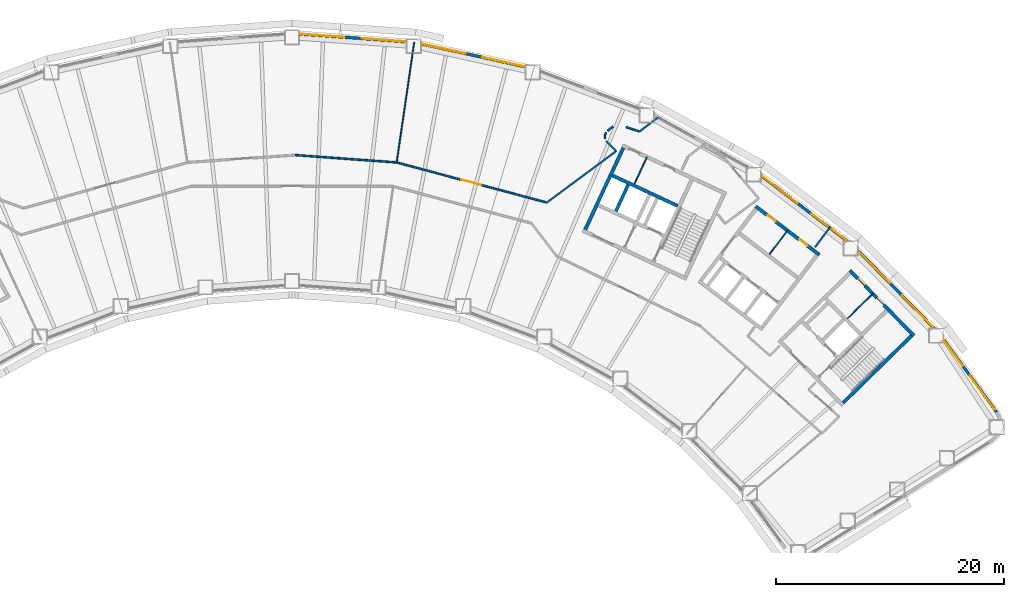
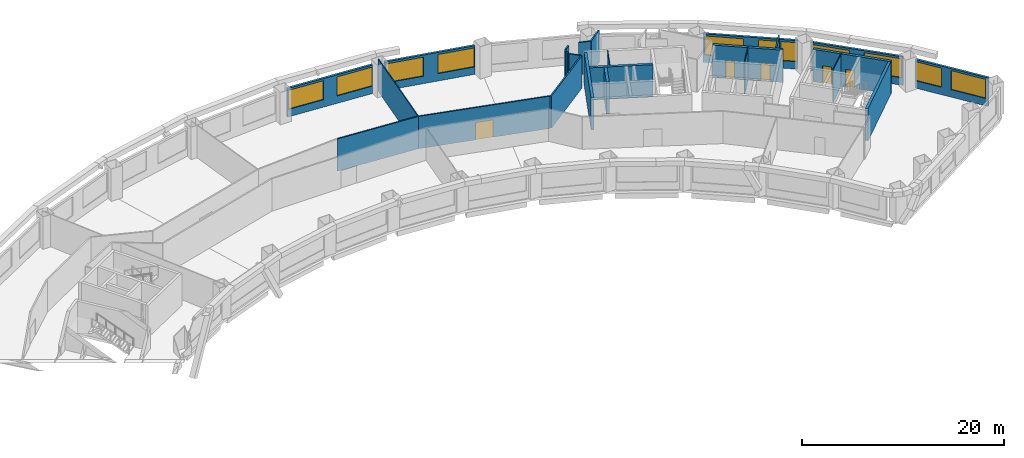
# One storey, part 7 of 14: 25 walls, 11 windows, 5 doors, 16 openings.
"""IFC4 building model written with IfcOpenShell, lengths in metres."""

from ifc_helpers import new_model, si_unit, direction, frame, frame_2d, origin, place, context, subcontext, project, spatial, rectangle, extrude, material, layer, layer_set, type_object, element, fill, save


model = new_model("IFC4")

# Units and contexts
model_context = context("Model", 3, precision=1e-05, world=origin(), true_north=direction((0.0, 1.0)))
body_context = subcontext(model_context, "Body", "Model", "MODEL_VIEW")
ifc_project = project(units=[si_unit("LENGTHUNIT", "METRE"), si_unit("AREAUNIT", "SQUARE_METRE"), si_unit("VOLUMEUNIT", "CUBIC_METRE"), si_unit("PLANEANGLEUNIT", "RADIAN"), si_unit("MASSUNIT", "GRAM", prefix="KILO")], contexts=[model_context])

# Site, building, storey
site_placement = place(None, origin())
site = spatial("IfcSite", under=ifc_project, at=site_placement, CompositionType="ELEMENT")
building_placement = place(site_placement, origin())
building = spatial("IfcBuilding", under=site, at=building_placement, Name="Tuul Gate Civic Tower", CompositionType="ELEMENT")
storey_placement = place(building_placement, frame((0.0, 0.0, 44.10009765625)))
storey = spatial("IfcBuildingStorey", under=building, at=storey_placement, Name="Level 09", CompositionType="ELEMENT", Elevation=44.10009765625)

# Wall, openings, doors
ifc_material_1 = material(Name="Concrete C50/60", Category="concrete")
ifc_layer_1 = layer(ifc_material_1, 0.300048828125)
ifc_layer_set_1 = layer_set([ifc_layer_1], Name="Concrete C50/60")
wall_type_1 = type_object("IfcWallType", Name="Core wall C50/60", PredefinedType="SHEAR", material=ifc_layer_set_1)
wall_1_placement = place(storey_placement, frame((54.43798828125, -12.23779296875, 0.0), z_axis=(0.0, 0.0, 1.0), x_axis=(-0.700021979774, 0.714121297703, 0.0)))
wall_1 = element("IfcWall", 1, at=wall_1_placement, inside=storey, type_object=wall_type_1, Name="Core wall", PredefinedType="SHEAR", context=body_context, shape_type="SweptSolid", body=[
    extrude(rectangle(XDim=8.0, YDim=0.300048828125, at=frame_2d((4.0, 0.0))), origin(), (0.0, 0.0, 1.0), 3.89990234375),
])
opening_1_placement = place(wall_1_placement, frame((3.75, 0.0, 0.0)))
opening_1 = element("IfcOpeningElement", 2, at=opening_1_placement, cuts=wall_1, Name="Opening B-D21", PredefinedType="OPENING", context=body_context, shape_type="SweptSolid", body=[
    extrude(rectangle(XDim=0.89990234375, YDim=2.10009765625, at=frame_2d((0.449951171875, 1.050048828125))), frame((0.0, 0.16015625, 0.0), z_axis=(0.0, -1.0, 0.0), x_axis=(1.0, 0.0, 0.0)), (0.0, 0.0, 1.0), 0.320068359375),
])
opening_2_placement = place(wall_1_placement, frame((6.125, 0.0, 0.0)))
opening_2 = element("IfcOpeningElement", 3, at=opening_2_placement, cuts=wall_1, Name="Opening B-D22", PredefinedType="OPENING", context=body_context, shape_type="SweptSolid", body=[
    extrude(rectangle(XDim=0.89990234375, YDim=2.10009765625, at=frame_2d((0.449951171875, 1.050048828125))), frame((0.0, 0.16015625, 0.0), z_axis=(0.0, -1.0, 0.0), x_axis=(1.0, 0.0, 0.0)), (0.0, 0.0, 1.0), 0.320068359375),
])
ifc_material_2 = material(Name="Timber door leaf", Category="wood")
door_type_1 = type_object("IfcDoorType", Name="Door D09", OperationType="NOTDEFINED", PredefinedType="DOOR", material=ifc_material_2)
door_1_placement = place(opening_1_placement, origin())
door_1 = element("IfcDoor", 4, at=door_1_placement, inside=storey, type_object=door_type_1, Name="Door B-D21", OperationType="SINGLE_SWING_LEFT", OverallHeight=2.10009765625, OverallWidth=0.89990234375, PredefinedType="DOOR", context=body_context, shape_type="SweptSolid", body=[
    extrude(rectangle(XDim=0.89990234375, YDim=2.10009765625, at=frame_2d((0.449951171875, 1.050048828125))), frame((0.0, 0.02490234375, 0.0), z_axis=(0.0, -1.0, 0.0), x_axis=(1.0, 0.0, 0.0)), (0.0, 0.0, 1.0), 0.050048828125),
])
fill(opening_1, door_1)
door_2_placement = place(opening_2_placement, origin())
door_2 = element("IfcDoor", 5, at=door_2_placement, inside=storey, type_object=door_type_1, Name="Door B-D22", OperationType="SINGLE_SWING_LEFT", OverallHeight=2.10009765625, OverallWidth=0.89990234375, PredefinedType="DOOR", context=body_context, shape_type="SweptSolid", body=[
    extrude(rectangle(XDim=0.89990234375, YDim=2.10009765625, at=frame_2d((0.449951171875, 1.050048828125))), frame((0.0, 0.02490234375, 0.0), z_axis=(0.0, -1.0, 0.0), x_axis=(1.0, 0.0, 0.0)), (0.0, 0.0, 1.0), 0.050048828125),
])
fill(opening_2, door_2)

# Walls
wall_2_placement = place(storey_placement, frame((48.227294921875, -18.115966796875, 0.0), z_axis=(0.0, 0.0, 1.0), x_axis=(0.714105315431, 0.700038283577, 0.0)))
element("IfcWall", 6, at=wall_2_placement, inside=storey, type_object=wall_type_1, Name="Core wall", PredefinedType="SHEAR", context=body_context, shape_type="SweptSolid", body=[
    extrude(rectangle(XDim=8.400146484375, YDim=0.300048828125, at=frame_2d((4.2001953125, 0.0))), origin(), (0.0, 0.0, 1.0), 3.89990234375),
])
wall_3_placement = place(storey_placement, frame((33.75, -0.873779296875, 0.0), z_axis=(0.0, 0.0, 1.0), x_axis=(-0.906300917592, 0.422632992999, 0.0)))
element("IfcWall", 7, at=wall_3_placement, inside=storey, type_object=wall_type_1, Name="Core wall", PredefinedType="SHEAR", context=body_context, shape_type="SweptSolid", body=[
    extrude(rectangle(XDim=6.300048828125, YDim=0.300048828125, at=frame_2d((3.14990234375, 0.0))), origin(), (0.0, 0.0, 1.0), 3.89990234375),
])
wall_4_placement = place(storey_placement, frame((28.349365234375, -1.33447265625, 0.0), z_axis=(0.0, 0.0, 1.0), x_axis=(0.422612891016, 0.906310291427, 0.0)))
element("IfcWall", 8, at=wall_4_placement, inside=storey, type_object=wall_type_1, Name="Core wall", PredefinedType="SHEAR", context=body_context, shape_type="SweptSolid", body=[
    extrude(rectangle(XDim=2.550048828125, YDim=0.300048828125, at=frame_2d((1.27490234375, 0.0))), origin(), (0.0, 0.0, 1.0), 3.89990234375),
])
wall_5_placement = place(storey_placement, frame((25.66455078125, -2.951416015625, 0.0), z_axis=(0.0, 0.0, 1.0), x_axis=(0.422582604137, 0.906324413596, 0.0)))
element("IfcWall", 9, at=wall_5_placement, inside=storey, type_object=wall_type_1, Name="Core wall", PredefinedType="SHEAR", context=body_context, shape_type="SweptSolid", body=[
    extrude(rectangle(XDim=7.89990234375, YDim=0.300048828125, at=frame_2d((3.949951171875, 0.0))), origin(), (0.0, 0.0, 1.0), 3.89990234375),
])
ifc_material_3 = material(Name="Gypsum board partition")
ifc_layer_2 = layer(ifc_material_3, 0.14990234375)
ifc_layer_set_2 = layer_set([ifc_layer_2], Name="Gypsum board partition")
wall_type_2 = type_object("IfcWallType", Name="Corridor wall P150", PredefinedType="PARTITIONING", material=ifc_layer_set_2)
wall_6_placement = place(storey_placement, frame((45.777587890625, -4.485595703125, 0.0), z_axis=(0.0, 0.0, 1.0), x_axis=(0.60268588556, 0.797978523111, 0.0)))
element("IfcWall", 10, at=wall_6_placement, inside=storey, type_object=wall_type_2, Name="p009", PredefinedType="PARTITIONING", context=body_context, shape_type="SweptSolid", body=[
    extrude(rectangle(XDim=2.13525390625, YDim=0.14990234375, at=frame_2d((1.067626953125, 0.0))), origin(), (0.0, 0.0, 1.0), 3.89990234375),
])
wall_7_placement = place(storey_placement, frame((22.2646484375, -0.605712890625, 0.0), z_axis=(0.0, 0.0, 1.0), x_axis=(0.803520813398, 0.595276660417, 0.0)))
element("IfcWall", 11, at=wall_7_placement, inside=storey, type_object=wall_type_2, Name="p017", PredefinedType="PARTITIONING", context=body_context, shape_type="SweptSolid", body=[
    extrude(rectangle(XDim=7.608642578125, YDim=0.14990234375, at=frame_2d((3.80419921875, 0.0))), origin(), (0.0, 0.0, 1.0), 3.89990234375),
])
wall_8_placement = place(storey_placement, frame((30.42431640625, 5.643310546875, 0.0), z_axis=(0.0, 0.0, 1.0), x_axis=(0.79384868291, 0.608115341561, 0.0)))
element("IfcWall", 12, at=wall_8_placement, inside=storey, type_object=wall_type_2, Name="p018", PredefinedType="PARTITIONING", context=body_context, shape_type="SweptSolid", body=[
    extrude(rectangle(XDim=2.042724609375, YDim=0.14990234375, at=frame_2d((1.021484375, 0.0))), origin(), (0.0, 0.0, 1.0), 3.89990234375),
])
wall_9_placement = place(storey_placement, frame((29.2568359375, 6.028564453125, 0.0), z_axis=(0.0, 0.0, 1.0), x_axis=(0.949632194878, -0.313366709226, 0.0)))
element("IfcWall", 13, at=wall_9_placement, inside=storey, type_object=wall_type_2, Name="p019", PredefinedType="PARTITIONING", context=body_context, shape_type="SweptSolid", body=[
    extrude(rectangle(XDim=1.2294921875, YDim=0.14990234375, at=frame_2d((0.61474609375, 0.0))), origin(), (0.0, 0.0, 1.0), 3.89990234375),
])
wall_10_placement = place(storey_placement, frame((27.62158203125, 5.70654296875, 0.0), z_axis=(0.0, 0.0, 1.0), x_axis=(0.793734738563, 0.608264058447, 0.0)))
element("IfcWall", 14, at=wall_10_placement, inside=storey, type_object=wall_type_2, Name="p020", PredefinedType="PARTITIONING", context=body_context, shape_type="SweptSolid", body=[
    extrude(rectangle(XDim=0.612060546875, YDim=0.14990234375, at=frame_2d((0.30615234375, 0.0))), origin(), (0.0, 0.0, 1.0), 3.89990234375),
])
wall_11_placement = place(storey_placement, frame((27.389404296875, 5.285888671875, 0.0), z_axis=(0.0, 0.0, 1.0), x_axis=(0.330896267797, 0.943667134088, 0.0)))
element("IfcWall", 15, at=wall_11_placement, inside=storey, type_object=wall_type_2, Name="p021", PredefinedType="PARTITIONING", context=body_context, shape_type="SweptSolid", body=[
    extrude(rectangle(XDim=0.27880859375, YDim=0.14990234375, at=frame_2d((0.139404296875, 0.0))), origin(), (0.0, 0.0, 1.0), 3.89990234375),
])
wall_12_placement = place(storey_placement, frame((27.389404296875, 5.285888671875, 0.0), z_axis=(0.0, 0.0, 1.0), x_axis=(0.054795599589, -0.998497592519, 0.0)))
element("IfcWall", 16, at=wall_12_placement, inside=storey, type_object=wall_type_2, Name="p022", PredefinedType="PARTITIONING", context=body_context, shape_type="SweptSolid", body=[
    extrude(rectangle(XDim=0.28076171875, YDim=0.14990234375, at=frame_2d((0.140380859375, 0.0))), origin(), (0.0, 0.0, 1.0), 3.89990234375),
])
wall_13_placement = place(storey_placement, frame((27.49951171875, 4.809326171875, 0.0), z_axis=(0.0, 0.0, 1.0), x_axis=(0.704266832513, -0.709935369328, 0.0)))
element("IfcWall", 17, at=wall_13_placement, inside=storey, type_object=wall_type_2, Name="p023", PredefinedType="PARTITIONING", context=body_context, shape_type="SweptSolid", body=[
    extrude(rectangle(XDim=1.2490234375, YDim=0.14990234375, at=frame_2d((0.62451171875, 0.0))), origin(), (0.0, 0.0, 1.0), 3.89990234375),
])

# Wall, opening, door
wall_14_placement = place(storey_placement, frame((9.14306640625, 2.93408203125, 0.0), z_axis=(0.0, 0.0, 1.0), x_axis=(0.966243040553, -0.257632270074, 0.0)))
wall_14 = element("IfcWall", 18, at=wall_14_placement, inside=storey, type_object=wall_type_2, Name="p024", PredefinedType="PARTITIONING", context=body_context, shape_type="SweptSolid", body=[
    extrude(rectangle(XDim=13.504638671875, YDim=0.14990234375, at=frame_2d((6.75244140625, 0.0))), origin(), (0.0, 0.0, 1.0), 3.89990234375),
])
opening_3_placement = place(wall_14_placement, frame((5.86328125, 0.0, 0.0)))
opening_3 = element("IfcOpeningElement", 19, at=opening_3_placement, cuts=wall_14, Name="Opening B-D03", PredefinedType="OPENING", context=body_context, shape_type="SweptSolid", body=[
    extrude(rectangle(XDim=1.800048828125, YDim=2.10009765625, at=frame_2d((0.89990234375, 1.050048828125))), frame((0.0, 0.0849609375, 0.0), z_axis=(0.0, -1.0, 0.0), x_axis=(1.0, 0.0, 0.0)), (0.0, 0.0, 1.0), 0.169921875),
])
ifc_material_4 = material(Name="Timber door leaf, double", Category="wood")
door_type_2 = type_object("IfcDoorType", Name="Door D18", OperationType="DOUBLE_DOOR_SINGLE_SWING", PredefinedType="DOOR", material=ifc_material_4)
door_3_placement = place(opening_3_placement, origin())
door_3 = element("IfcDoor", 20, at=door_3_placement, inside=storey, type_object=door_type_2, Name="Door B-D03", OperationType="DOUBLE_DOOR_SINGLE_SWING", OverallHeight=2.10009765625, OverallWidth=1.800048828125, PredefinedType="DOOR", context=body_context, shape_type="SweptSolid", body=[
    extrude(rectangle(XDim=1.800048828125, YDim=2.10009765625, at=frame_2d((0.89990234375, 1.050048828125))), frame((0.0, 0.02490234375, 0.0), z_axis=(0.0, -1.0, 0.0), x_axis=(1.0, 0.0, 0.0)), (0.0, 0.0, 1.0), 0.050048828125),
])
fill(opening_3, door_3)

# Wall
wall_15_placement = place(storey_placement, frame((0.27587890625, 3.576416015625, 0.0), z_axis=(0.0, 0.0, 1.0), x_axis=(0.997387664571, -0.072234663155, 0.0)))
element("IfcWall", 21, at=wall_15_placement, inside=storey, type_object=wall_type_2, Name="p026", PredefinedType="PARTITIONING", context=body_context, shape_type="SweptSolid", body=[
    extrude(rectangle(XDim=8.888916015625, YDim=0.14990234375, at=frame_2d((4.4443359375, 0.0))), origin(), (0.0, 0.0, 1.0), 3.89990234375),
])

# Wall, openings, windows
ifc_material_5 = material(Name="Precast concrete C40/50", Category="concrete")
ifc_layer_3 = layer(ifc_material_5, 0.25)
ifc_layer_set_3 = layer_set([ifc_layer_3], Name="Precast concrete C40/50")
wall_type_3 = type_object("IfcWallType", Name="External wall", PredefinedType="STANDARD", material=ifc_layer_set_3)
wall_16_placement = place(storey_placement, frame((61.68896484375, -18.94677734375, 0.0), z_axis=(0.0, 0.0, 1.0), x_axis=(-0.589806928208, 0.807544294412, 0.0)))
wall_16 = element("IfcWall", 22, at=wall_16_placement, inside=storey, type_object=wall_type_3, Name="External wall", PredefinedType="STANDARD", context=body_context, shape_type="SweptSolid", body=[
    extrude(rectangle(XDim=7.912841796875, YDim=0.25, at=frame_2d((3.95654296875, 0.0))), origin(), (0.0, 0.0, 1.0), 3.449951171875),
])
opening_4_placement = place(wall_16_placement, frame((0.30078125, 0.0, 0.89990234375)))
opening_4 = element("IfcOpeningElement", 23, at=opening_4_placement, cuts=wall_16, Name="Opening W21", PredefinedType="OPENING", context=body_context, shape_type="SweptSolid", body=[
    extrude(rectangle(XDim=3.699951171875, YDim=2.300048828125, at=frame_2d((1.85009765625, 1.14990234375))), frame((0.0, 0.135009765625, 0.0), z_axis=(0.0, -1.0, 0.0), x_axis=(1.0, 0.0, 0.0)), (0.0, 0.0, 1.0), 0.27001953125),
])
opening_5_placement = place(wall_16_placement, frame((5.052001953125, 0.0, 0.89990234375)))
opening_5 = element("IfcOpeningElement", 24, at=opening_5_placement, cuts=wall_16, Name="Opening W23", PredefinedType="OPENING", context=body_context, shape_type="SweptSolid", body=[
    extrude(rectangle(XDim=2.800048828125, YDim=2.300048828125, at=frame_2d((1.39990234375, 1.14990234375))), frame((0.0, 0.135009765625, 0.0), z_axis=(0.0, -1.0, 0.0), x_axis=(1.0, 0.0, 0.0)), (0.0, 0.0, 1.0), 0.27001953125),
])
ifc_material_6 = material(Name="Glass", Category="glass")
window_type_1 = type_object("IfcWindowType", Name="Window W21 3700 x 2300", PartitioningType="SINGLE_PANEL", PredefinedType="WINDOW", material=ifc_material_6)
window_1_placement = place(opening_4_placement, origin())
window_1 = element("IfcWindow", 25, at=window_1_placement, inside=storey, type_object=window_type_1, Name="Window", OverallHeight=2.300048828125, OverallWidth=3.699951171875, PartitioningType="SINGLE_PANEL", PredefinedType="WINDOW", context=body_context, shape_type="SweptSolid", body=[
    extrude(rectangle(XDim=3.699951171875, YDim=2.300048828125, at=frame_2d((1.85009765625, 1.14990234375))), frame((0.0, 0.030029296875, 0.0), z_axis=(0.0, -1.0, 0.0), x_axis=(1.0, 0.0, 0.0)), (0.0, 0.0, 1.0), 0.06005859375),
])
fill(opening_4, window_1)
ifc_material_7 = material(Name="Glass", Category="glass")
window_type_2 = type_object("IfcWindowType", Name="Window W23 2800 x 2300", PartitioningType="SINGLE_PANEL", PredefinedType="WINDOW", material=ifc_material_7)
window_2_placement = place(opening_5_placement, origin())
window_2 = element("IfcWindow", 26, at=window_2_placement, inside=storey, type_object=window_type_2, Name="Window", OverallHeight=2.300048828125, OverallWidth=2.800048828125, PartitioningType="SINGLE_PANEL", PredefinedType="WINDOW", context=body_context, shape_type="SweptSolid", body=[
    extrude(rectangle(XDim=2.800048828125, YDim=2.300048828125, at=frame_2d((1.39990234375, 1.14990234375))), frame((0.0, 0.030029296875, 0.0), z_axis=(0.0, -1.0, 0.0), x_axis=(1.0, 0.0, 0.0)), (0.0, 0.0, 1.0), 0.06005859375),
])
fill(opening_5, window_2)

wall_17_placement = place(storey_placement, frame((56.18896484375, -11.56689453125, 0.0), z_axis=(0.0, 0.0, 1.0), x_axis=(-0.699994476854, 0.714148256578, 0.0)))
wall_17 = element("IfcWall", 27, at=wall_17_placement, inside=storey, type_object=wall_type_3, Name="External wall", PredefinedType="STANDARD", context=body_context, shape_type="SweptSolid", body=[
    extrude(rectangle(XDim=9.487060546875, YDim=0.25, at=frame_2d((4.74365234375, 0.0))), origin(), (0.0, 0.0, 1.0), 3.449951171875),
])
opening_6_placement = place(wall_17_placement, frame((0.135498046875, 0.0, 0.89990234375)))
opening_6 = element("IfcOpeningElement", 28, at=opening_6_placement, cuts=wall_17, Name="Opening W22", PredefinedType="OPENING", context=body_context, shape_type="SweptSolid", body=[
    extrude(rectangle(XDim=3.85009765625, YDim=2.300048828125, at=frame_2d((1.925048828125, 1.14990234375))), frame((0.0, 0.135009765625, 0.0), z_axis=(0.0, -1.0, 0.0), x_axis=(1.0, 0.0, 0.0)), (0.0, 0.0, 1.0), 0.27001953125),
])
opening_7_placement = place(wall_17_placement, frame((5.5068359375, 0.0, 0.89990234375)))
opening_7 = element("IfcOpeningElement", 29, at=opening_7_placement, cuts=wall_17, Name="Opening W22", PredefinedType="OPENING", context=body_context, shape_type="SweptSolid", body=[
    extrude(rectangle(XDim=3.85009765625, YDim=2.300048828125, at=frame_2d((1.925048828125, 1.14990234375))), frame((0.0, 0.135009765625, 0.0), z_axis=(0.0, -1.0, 0.0), x_axis=(1.0, 0.0, 0.0)), (0.0, 0.0, 1.0), 0.27001953125),
])
ifc_material_8 = material(Name="Glass", Category="glass")
window_type_3 = type_object("IfcWindowType", Name="Window W22 3850 x 2300", PartitioningType="SINGLE_PANEL", PredefinedType="WINDOW", material=ifc_material_8)
window_3_placement = place(opening_6_placement, origin())
window_3 = element("IfcWindow", 30, at=window_3_placement, inside=storey, type_object=window_type_3, Name="Window", OverallHeight=2.300048828125, OverallWidth=3.85009765625, PartitioningType="SINGLE_PANEL", PredefinedType="WINDOW", context=body_context, shape_type="SweptSolid", body=[
    extrude(rectangle(XDim=3.85009765625, YDim=2.300048828125, at=frame_2d((1.925048828125, 1.14990234375))), frame((0.0, 0.030029296875, 0.0), z_axis=(0.0, -1.0, 0.0), x_axis=(1.0, 0.0, 0.0)), (0.0, 0.0, 1.0), 0.06005859375),
])
fill(opening_6, window_3)
window_4_placement = place(opening_7_placement, origin())
window_4 = element("IfcWindow", 31, at=window_4_placement, inside=storey, type_object=window_type_3, Name="Window", OverallHeight=2.300048828125, OverallWidth=3.85009765625, PartitioningType="SINGLE_PANEL", PredefinedType="WINDOW", context=body_context, shape_type="SweptSolid", body=[
    extrude(rectangle(XDim=3.85009765625, YDim=2.300048828125, at=frame_2d((1.925048828125, 1.14990234375))), frame((0.0, 0.030029296875, 0.0), z_axis=(0.0, -1.0, 0.0), x_axis=(1.0, 0.0, 0.0)), (0.0, 0.0, 1.0), 0.06005859375),
])
fill(opening_7, window_4)

wall_18_placement = place(storey_placement, frame((48.579833984375, -3.94189453125, 0.0), z_axis=(0.0, 0.0, 1.0), x_axis=(-0.795612935537, 0.605805296119, 0.0)))
wall_18 = element("IfcWall", 32, at=wall_18_placement, inside=storey, type_object=wall_type_3, Name="External wall", PredefinedType="STANDARD", context=body_context, shape_type="SweptSolid", body=[
    extrude(rectangle(XDim=9.461669921875, YDim=0.25, at=frame_2d((4.73095703125, 0.0))), origin(), (0.0, 0.0, 1.0), 3.449951171875),
])
opening_8_placement = place(wall_18_placement, frame((5.452880859375, 0.0, 0.89990234375)))
opening_8 = element("IfcOpeningElement", 33, at=opening_8_placement, cuts=wall_18, Name="Opening W22", PredefinedType="OPENING", context=body_context, shape_type="SweptSolid", body=[
    extrude(rectangle(XDim=3.85009765625, YDim=2.300048828125, at=frame_2d((1.925048828125, 1.14990234375))), frame((0.0, 0.135009765625, 0.0), z_axis=(0.0, -1.0, 0.0), x_axis=(1.0, 0.0, 0.0)), (0.0, 0.0, 1.0), 0.27001953125),
])
opening_9_placement = place(wall_18_placement, frame((0.09521484375, 0.0, 0.89990234375)))
opening_9 = element("IfcOpeningElement", 34, at=opening_9_placement, cuts=wall_18, Name="Opening W28", PredefinedType="OPENING", context=body_context, shape_type="SweptSolid", body=[
    extrude(rectangle(XDim=1.60009765625, YDim=2.300048828125, at=frame_2d((0.800048828125, 1.14990234375))), frame((0.0, 0.135009765625, 0.0), z_axis=(0.0, -1.0, 0.0), x_axis=(1.0, 0.0, 0.0)), (0.0, 0.0, 1.0), 0.27001953125),
])
opening_10_placement = place(wall_18_placement, frame((2.120361328125, 0.0, 0.89990234375)))
opening_10 = element("IfcOpeningElement", 35, at=opening_10_placement, cuts=wall_18, Name="Opening W29", PredefinedType="OPENING", context=body_context, shape_type="SweptSolid", body=[
    extrude(rectangle(XDim=1.800048828125, YDim=2.300048828125, at=frame_2d((0.89990234375, 1.14990234375))), frame((0.0, 0.135009765625, 0.0), z_axis=(0.0, -1.0, 0.0), x_axis=(1.0, 0.0, 0.0)), (0.0, 0.0, 1.0), 0.27001953125),
])
ifc_material_9 = material(Name="Glass", Category="glass")
window_type_4 = type_object("IfcWindowType", Name="Window 1600 x 2300", PartitioningType="SINGLE_PANEL", PredefinedType="WINDOW", material=ifc_material_9)
window_5_placement = place(opening_9_placement, origin())
window_5 = element("IfcWindow", 36, at=window_5_placement, inside=storey, type_object=window_type_4, Name="Window", OverallHeight=2.300048828125, OverallWidth=1.60009765625, PartitioningType="SINGLE_PANEL", PredefinedType="WINDOW", context=body_context, shape_type="SweptSolid", body=[
    extrude(rectangle(XDim=1.60009765625, YDim=2.300048828125, at=frame_2d((0.800048828125, 1.14990234375))), frame((0.0, 0.030029296875, 0.0), z_axis=(0.0, -1.0, 0.0), x_axis=(1.0, 0.0, 0.0)), (0.0, 0.0, 1.0), 0.06005859375),
])
fill(opening_9, window_5)
ifc_material_10 = material(Name="Glass", Category="glass")
window_type_5 = type_object("IfcWindowType", Name="Window 1800 x 2300", PartitioningType="SINGLE_PANEL", PredefinedType="WINDOW", material=ifc_material_10)
window_6_placement = place(opening_10_placement, origin())
window_6 = element("IfcWindow", 37, at=window_6_placement, inside=storey, type_object=window_type_5, Name="Window", OverallHeight=2.300048828125, OverallWidth=1.800048828125, PartitioningType="SINGLE_PANEL", PredefinedType="WINDOW", context=body_context, shape_type="SweptSolid", body=[
    extrude(rectangle(XDim=1.800048828125, YDim=2.300048828125, at=frame_2d((0.89990234375, 1.14990234375))), frame((0.0, 0.030029296875, 0.0), z_axis=(0.0, -1.0, 0.0), x_axis=(1.0, 0.0, 0.0)), (0.0, 0.0, 1.0), 0.06005859375),
])
fill(opening_10, window_6)
window_7_placement = place(opening_8_placement, origin())
window_7 = element("IfcWindow", 38, at=window_7_placement, inside=storey, type_object=window_type_3, Name="Window", OverallHeight=2.300048828125, OverallWidth=3.85009765625, PartitioningType="SINGLE_PANEL", PredefinedType="WINDOW", context=body_context, shape_type="SweptSolid", body=[
    extrude(rectangle(XDim=3.85009765625, YDim=2.300048828125, at=frame_2d((1.925048828125, 1.14990234375))), frame((0.0, 0.030029296875, 0.0), z_axis=(0.0, -1.0, 0.0), x_axis=(1.0, 0.0, 0.0)), (0.0, 0.0, 1.0), 0.06005859375),
])
fill(opening_8, window_7)

wall_19_placement = place(storey_placement, frame((20.427001953125, 11.304443359375, 0.0), z_axis=(0.0, 0.0, 1.0), x_axis=(-0.97654219172, 0.215326142841, 0.0)))
wall_19 = element("IfcWall", 39, at=wall_19_placement, inside=storey, type_object=wall_type_3, Name="External wall", PredefinedType="STANDARD", context=body_context, shape_type="SweptSolid", body=[
    extrude(rectangle(XDim=9.34716796875, YDim=0.25, at=frame_2d((4.673583984375, 0.0))), origin(), (0.0, 0.0, 1.0), 3.449951171875),
])
opening_11_placement = place(wall_19_placement, frame((0.04296875, 0.0, 0.89990234375)))
opening_11 = element("IfcOpeningElement", 40, at=opening_11_placement, cuts=wall_19, Name="Opening W100", PredefinedType="OPENING", context=body_context, shape_type="SweptSolid", body=[
    extrude(rectangle(XDim=3.800048828125, YDim=2.300048828125, at=frame_2d((1.89990234375, 1.14990234375))), frame((0.0, 0.135009765625, 0.0), z_axis=(0.0, -1.0, 0.0), x_axis=(1.0, 0.0, 0.0)), (0.0, 0.0, 1.0), 0.27001953125),
])
opening_12_placement = place(wall_19_placement, frame((5.363037109375, 0.0, 0.89990234375)))
opening_12 = element("IfcOpeningElement", 41, at=opening_12_placement, cuts=wall_19, Name="Opening W22", PredefinedType="OPENING", context=body_context, shape_type="SweptSolid", body=[
    extrude(rectangle(XDim=3.85009765625, YDim=2.300048828125, at=frame_2d((1.925048828125, 1.14990234375))), frame((0.0, 0.135009765625, 0.0), z_axis=(0.0, -1.0, 0.0), x_axis=(1.0, 0.0, 0.0)), (0.0, 0.0, 1.0), 0.27001953125),
])
ifc_material_11 = material(Name="Glass", Category="glass")
window_type_6 = type_object("IfcWindowType", Name="Window W100 3800 x 2300", PartitioningType="SINGLE_PANEL", PredefinedType="WINDOW", material=ifc_material_11)
window_8_placement = place(opening_11_placement, origin())
window_8 = element("IfcWindow", 42, at=window_8_placement, inside=storey, type_object=window_type_6, Name="Window", OverallHeight=2.300048828125, OverallWidth=3.800048828125, PartitioningType="SINGLE_PANEL", PredefinedType="WINDOW", context=body_context, shape_type="SweptSolid", body=[
    extrude(rectangle(XDim=3.800048828125, YDim=2.300048828125, at=frame_2d((1.89990234375, 1.14990234375))), frame((0.0, 0.030029296875, 0.0), z_axis=(0.0, -1.0, 0.0), x_axis=(1.0, 0.0, 0.0)), (0.0, 0.0, 1.0), 0.06005859375),
])
fill(opening_11, window_8)
window_9_placement = place(opening_12_placement, origin())
window_9 = element("IfcWindow", 43, at=window_9_placement, inside=storey, type_object=window_type_3, Name="Window", OverallHeight=2.300048828125, OverallWidth=3.85009765625, PartitioningType="SINGLE_PANEL", PredefinedType="WINDOW", context=body_context, shape_type="SweptSolid", body=[
    extrude(rectangle(XDim=3.85009765625, YDim=2.300048828125, at=frame_2d((1.925048828125, 1.14990234375))), frame((0.0, 0.030029296875, 0.0), z_axis=(0.0, -1.0, 0.0), x_axis=(1.0, 0.0, 0.0)), (0.0, 0.0, 1.0), 0.06005859375),
])
fill(opening_12, window_9)

wall_20_placement = place(storey_placement, frame((9.9990234375, 13.50048828125, 0.0), z_axis=(0.0, 0.0, 1.0), x_axis=(-0.997388413682, 0.072224318983, 0.0)))
wall_20 = element("IfcWall", 44, at=wall_20_placement, inside=storey, type_object=wall_type_3, Name="External wall", PredefinedType="STANDARD", context=body_context, shape_type="SweptSolid", body=[
    extrude(rectangle(XDim=9.37353515625, YDim=0.25, at=frame_2d((4.686767578125, 0.0))), origin(), (0.0, 0.0, 1.0), 3.449951171875),
])
opening_13_placement = place(wall_20_placement, frame((0.052734375, 0.0, 0.89990234375)))
opening_13 = element("IfcOpeningElement", 45, at=opening_13_placement, cuts=wall_20, Name="Opening W22", PredefinedType="OPENING", context=body_context, shape_type="SweptSolid", body=[
    extrude(rectangle(XDim=3.85009765625, YDim=2.300048828125, at=frame_2d((1.925048828125, 1.14990234375))), frame((0.0, 0.135009765625, 0.0), z_axis=(0.0, -1.0, 0.0), x_axis=(1.0, 0.0, 0.0)), (0.0, 0.0, 1.0), 0.27001953125),
])
opening_14_placement = place(wall_20_placement, frame((5.423828125, 0.0, 0.89990234375)))
opening_14 = element("IfcOpeningElement", 46, at=opening_14_placement, cuts=wall_20, Name="Opening W22", PredefinedType="OPENING", context=body_context, shape_type="SweptSolid", body=[
    extrude(rectangle(XDim=3.85009765625, YDim=2.300048828125, at=frame_2d((1.925048828125, 1.14990234375))), frame((0.0, 0.135009765625, 0.0), z_axis=(0.0, -1.0, 0.0), x_axis=(1.0, 0.0, 0.0)), (0.0, 0.0, 1.0), 0.27001953125),
])
window_10_placement = place(opening_13_placement, origin())
window_10 = element("IfcWindow", 47, at=window_10_placement, inside=storey, type_object=window_type_3, Name="Window", OverallHeight=2.300048828125, OverallWidth=3.85009765625, PartitioningType="SINGLE_PANEL", PredefinedType="WINDOW", context=body_context, shape_type="SweptSolid", body=[
    extrude(rectangle(XDim=3.85009765625, YDim=2.300048828125, at=frame_2d((1.925048828125, 1.14990234375))), frame((0.0, 0.030029296875, 0.0), z_axis=(0.0, -1.0, 0.0), x_axis=(1.0, 0.0, 0.0)), (0.0, 0.0, 1.0), 0.06005859375),
])
fill(opening_13, window_10)
window_11_placement = place(opening_14_placement, origin())
window_11 = element("IfcWindow", 48, at=window_11_placement, inside=storey, type_object=window_type_3, Name="Window", OverallHeight=2.300048828125, OverallWidth=3.85009765625, PartitioningType="SINGLE_PANEL", PredefinedType="WINDOW", context=body_context, shape_type="SweptSolid", body=[
    extrude(rectangle(XDim=3.85009765625, YDim=2.300048828125, at=frame_2d((1.925048828125, 1.14990234375))), frame((0.0, 0.030029296875, 0.0), z_axis=(0.0, -1.0, 0.0), x_axis=(1.0, 0.0, 0.0)), (0.0, 0.0, 1.0), 0.06005859375),
])
fill(opening_14, window_11)

# Wall, openings, doors
ifc_material_12 = material(Name="Concrete C40/50", Category="concrete")
ifc_layer_4 = layer(ifc_material_12, 0.300048828125)
ifc_layer_set_4 = layer_set([ifc_layer_4], Name="Concrete C40/50")
wall_type_4 = type_object("IfcWallType", Name="Lift shaft wall C40/50", PredefinedType="STANDARD", material=ifc_layer_set_4)
wall_21_placement = place(storey_placement, frame((46.1591796875, -5.1533203125, 0.0), z_axis=(0.0, 0.0, 1.0), x_axis=(-0.795579811045, 0.605848796531, 0.0)))
wall_21 = element("IfcWall", 49, at=wall_21_placement, inside=storey, type_object=wall_type_4, Name="Shaft wall", PredefinedType="STANDARD", context=body_context, shape_type="SweptSolid", body=[
    extrude(rectangle(XDim=7.0, YDim=0.300048828125, at=frame_2d((3.5, 0.0))), origin(), (0.0, 0.0, 1.0), 3.89990234375),
])
opening_15_placement = place(wall_21_placement, frame((1.300048828125, 0.0, 0.0)))
opening_15 = element("IfcOpeningElement", 50, at=opening_15_placement, cuts=wall_21, Name="Opening B-D19", PredefinedType="OPENING", context=body_context, shape_type="SweptSolid", body=[
    extrude(rectangle(XDim=0.89990234375, YDim=2.10009765625, at=frame_2d((0.449951171875, 1.050048828125))), frame((0.0, 0.16015625, 0.0), z_axis=(0.0, -1.0, 0.0), x_axis=(1.0, 0.0, 0.0)), (0.0, 0.0, 1.0), 0.320068359375),
])
opening_16_placement = place(wall_21_placement, frame((4.800048828125, 0.0, 0.0)))
opening_16 = element("IfcOpeningElement", 51, at=opening_16_placement, cuts=wall_21, Name="Opening B-D20", PredefinedType="OPENING", context=body_context, shape_type="SweptSolid", body=[
    extrude(rectangle(XDim=0.89990234375, YDim=2.10009765625, at=frame_2d((0.449951171875, 1.050048828125))), frame((0.0, 0.16015625, 0.0), z_axis=(0.0, -1.0, 0.0), x_axis=(1.0, 0.0, 0.0)), (0.0, 0.0, 1.0), 0.320068359375),
])
door_4_placement = place(opening_15_placement, origin())
door_4 = element("IfcDoor", 52, at=door_4_placement, inside=storey, type_object=door_type_1, Name="Door B-D19", OperationType="SINGLE_SWING_LEFT", OverallHeight=2.10009765625, OverallWidth=0.89990234375, PredefinedType="DOOR", context=body_context, shape_type="SweptSolid", body=[
    extrude(rectangle(XDim=0.89990234375, YDim=2.10009765625, at=frame_2d((0.449951171875, 1.050048828125))), frame((0.0, 0.02490234375, 0.0), z_axis=(0.0, -1.0, 0.0), x_axis=(1.0, 0.0, 0.0)), (0.0, 0.0, 1.0), 0.050048828125),
])
fill(opening_15, door_4)
door_5_placement = place(opening_16_placement, origin())
door_5 = element("IfcDoor", 53, at=door_5_placement, inside=storey, type_object=door_type_1, Name="Door B-D20", OperationType="SINGLE_SWING_RIGHT", OverallHeight=2.10009765625, OverallWidth=0.89990234375, PredefinedType="DOOR", context=body_context, shape_type="SweptSolid", body=[
    extrude(rectangle(XDim=0.89990234375, YDim=2.10009765625, at=frame_2d((0.449951171875, 1.050048828125))), frame((0.0, 0.02490234375, 0.0), z_axis=(0.0, -1.0, 0.0), x_axis=(1.0, 0.0, 0.0)), (0.0, 0.0, 1.0), 0.050048828125),
])
fill(opening_16, door_5)

# Walls
ifc_material_13 = material(Name="Gypsum board partition")
ifc_layer_5 = layer(ifc_material_13, 0.10009765625)
ifc_layer_set_5 = layer_set([ifc_layer_5], Name="Gypsum board partition")
wall_type_5 = type_object("IfcWallType", Name="Partition P100", PredefinedType="PARTITIONING", material=ifc_layer_set_5)
wall_22_placement = place(storey_placement, frame((9.164306640625, 2.928466796875, 0.0), z_axis=(0.0, 0.0, 1.0), x_axis=(0.144110249714, 0.989561638266, 0.0)))
element("IfcWall", 54, at=wall_22_placement, inside=storey, type_object=wall_type_5, Name="p016", PredefinedType="PARTITIONING", context=body_context, shape_type="SweptSolid", body=[
    extrude(rectangle(XDim=10.637451171875, YDim=0.10009765625, at=frame_2d((5.31884765625, 0.0))), origin(), (0.0, 0.0, 1.0), 3.89990234375),
])
wall_23_placement = place(storey_placement, frame((41.799560546875, -5.1015625, 0.0), z_axis=(0.0, 0.0, 1.0), x_axis=(0.605768745095, 0.795640765337, 0.0)))
element("IfcWall", 55, at=wall_23_placement, inside=storey, type_object=wall_type_5, Name="bE2-BAND-0", PredefinedType="PARTITIONING", context=body_context, shape_type="SweptSolid", body=[
    extrude(rectangle(XDim=2.599853515625, YDim=0.10009765625, at=frame_2d((1.2998046875, 0.0))), origin(), (0.0, 0.0, 1.0), 3.89990234375),
])
wall_24_placement = place(storey_placement, frame((48.619140625, -10.72998046875, 0.0), z_axis=(0.0, 0.0, 1.0), x_axis=(0.714159293908, 0.699983216173, 0.0)))
element("IfcWall", 56, at=wall_24_placement, inside=storey, type_object=wall_type_5, Name="bE1-BAND-0", PredefinedType="PARTITIONING", context=body_context, shape_type="SweptSolid", body=[
    extrude(rectangle(XDim=3.099853515625, YDim=0.10009765625, at=frame_2d((1.5498046875, 0.0))), origin(), (0.0, 0.0, 1.0), 3.89990234375),
])
wall_25_placement = place(storey_placement, frame((29.972900390625, 1.052978515625, 0.0), z_axis=(0.0, 0.0, 1.0), x_axis=(0.422556439746, 0.906336612539, 0.0)))
element("IfcWall", 57, at=wall_25_placement, inside=storey, type_object=wall_type_5, Name="bE3-BAND-0", PredefinedType="PARTITIONING", context=body_context, shape_type="SweptSolid", body=[
    extrude(rectangle(XDim=2.599853515625, YDim=0.10009765625, at=frame_2d((1.2998046875, 0.0))), origin(), (0.0, 0.0, 1.0), 3.89990234375),
])

save(model, "model.ifc")
